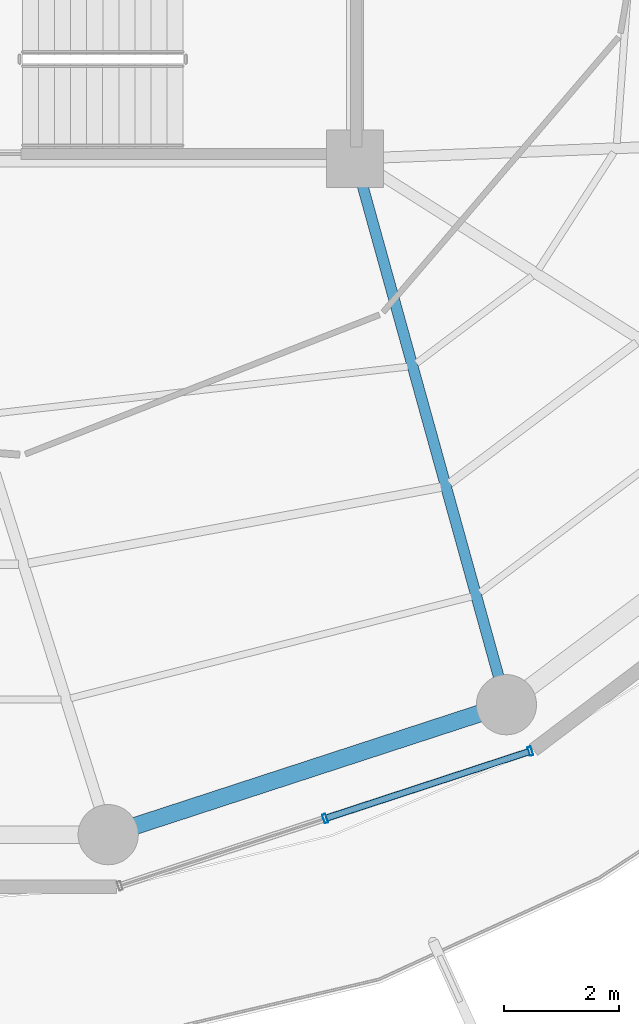
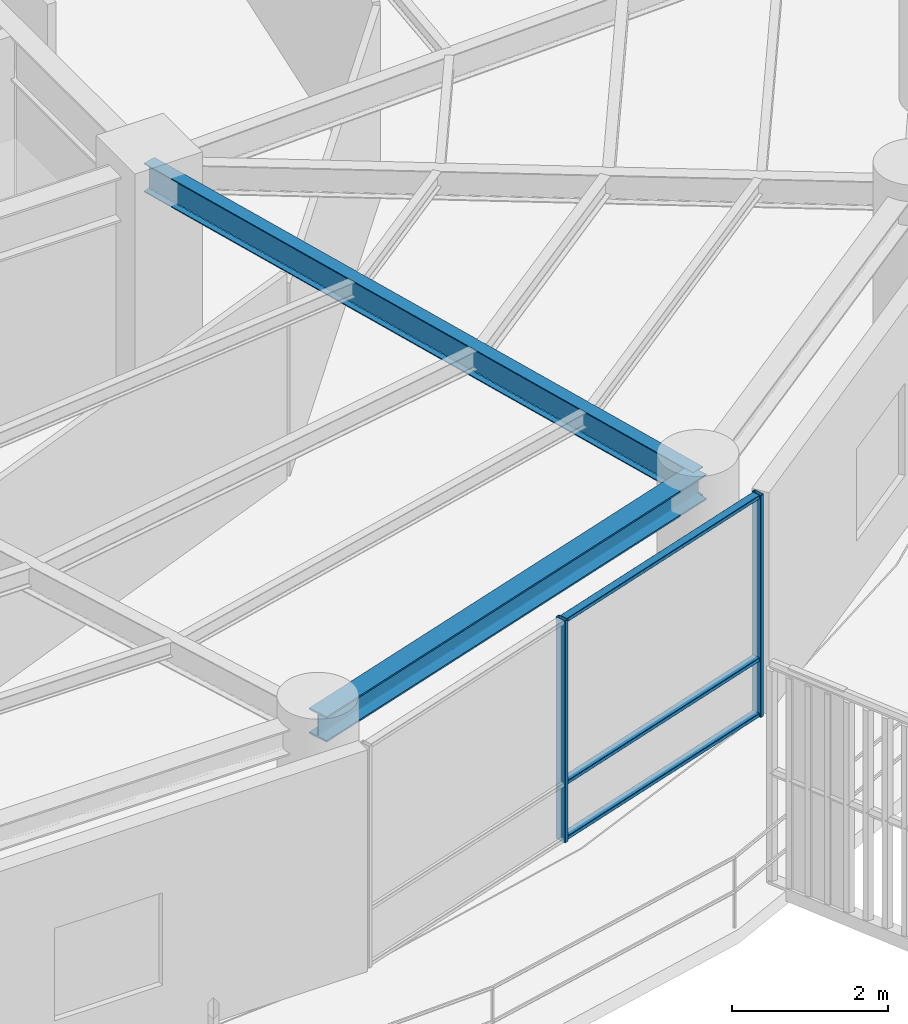
# One storey, part 10 of 31: 5 members, 2 beams, 1 element without a shape of its own.
"""IFC4 building model written with IfcOpenShell, lengths in metres."""

from ifc_helpers import new_model, si_unit, direction, frame, origin, origin_2d, place, context, subcontext, project, spatial, hollow_rectangle, i_section, extrude, material, layer, layer_set, material_profile, profile_set, type_object, element, aggregate, save


model = new_model("IFC4")

# Units and contexts
model_context = context("Model", 3, precision=1e-05, world=origin(), true_north=direction((0.0, 1.0)))
body_context = subcontext(model_context, "Body", "Model", "MODEL_VIEW")
ifc_project = project(units=[si_unit("LENGTHUNIT", "METRE"), si_unit("AREAUNIT", "SQUARE_METRE"), si_unit("VOLUMEUNIT", "CUBIC_METRE"), si_unit("PLANEANGLEUNIT", "RADIAN"), si_unit("MASSUNIT", "GRAM", prefix="KILO")], contexts=[model_context])

# Site, building, storey
site_placement = place(None, origin())
site = spatial("IfcSite", under=ifc_project, at=site_placement, CompositionType="ELEMENT")
building_placement = place(site_placement, origin())
building = spatial("IfcBuilding", under=site, at=building_placement, Name="Kelanora Arch Commons", CompositionType="ELEMENT")
storey_placement = place(building_placement, frame((0.0, 0.0, 230.699951171875)))
storey = spatial("IfcBuildingStorey", under=building, at=storey_placement, Name="L59", CompositionType="ELEMENT", Elevation=230.699951171875)

# Beams
ifc_material_1 = material(Name="Steel S355", Category="steel")
ifc_material_profile_1 = material_profile(ifc_material_1, i_section(OverallWidth=0.18994140625, OverallDepth=0.449951171875, WebThickness=0.009521484375, FlangeThickness=0.0146484375, FilletRadius=0.02099609375, at=origin_2d()), Name="IPE450")
ifc_profile_set_1 = profile_set([ifc_material_profile_1], Name="Steel S355")
beam_type_1 = type_object("IfcBeamType", Name="BM-RAD-Z4", PredefinedType="BEAM", material=ifc_profile_set_1)
beam_1_placement = place(storey_placement, frame((82.0, 51.0, 3.26513671875), z_axis=(0.267120164296, -0.963663228429, 0.0), x_axis=(0.963663228429, 0.267120164296, 0.0)))
element("IfcBeam", 1, at=beam_1_placement, inside=storey, type_object=beam_type_1, Name="Radial Floor Girder BR-30 L59", PredefinedType="BEAM", context=body_context, shape_type="SweptSolid", body=[
    extrude(i_section(OverallWidth=0.18994140625, OverallDepth=0.449951171875, WebThickness=0.009521484375, FlangeThickness=0.0146484375, FilletRadius=0.02099609375, at=origin_2d()), origin(), (0.0, 0.0, 1.0), 9.8828125),
])
ifc_material_profile_2 = material_profile(ifc_material_1, i_section(OverallWidth=0.300048828125, OverallDepth=0.39990234375, WebThickness=0.013427734375, FlangeThickness=0.02392578125, FilletRadius=0.027099609375, at=origin_2d()), Name="HEB400")
ifc_profile_set_2 = profile_set([ifc_material_profile_2], Name="Steel S355")
beam_type_2 = type_object("IfcBeamType", Name="BM-SPN-Z4", PredefinedType="SPANDREL", material=ifc_profile_set_2)
beam_2_placement = place(storey_placement, frame((77.6953125, 39.2099609375, 3.2900390625), z_axis=(0.950656361143, 0.310245842872, 0.0), x_axis=(-0.310245842872, 0.950656361143, 0.0)))
element("IfcBeam", 2, at=beam_2_placement, inside=storey, type_object=beam_type_2, Name="Perimeter Spandrel Beam BS-28 L59", PredefinedType="SPANDREL", context=body_context, shape_type="SweptSolid", body=[
    extrude(i_section(OverallWidth=0.300048828125, OverallDepth=0.39990234375, WebThickness=0.013427734375, FlangeThickness=0.02392578125, FilletRadius=0.027099609375, at=origin_2d()), origin(), (0.0, 0.0, 1.0), 7.304931640625),
])

# Curtain wall, members
ifc_material_2 = material(Name="Terracotta ceramic-fritted low-E glass and aluminium", Category="masonry")
ifc_layer = layer(ifc_material_2, 0.175048828125)
ifc_layer_set = layer_set([ifc_layer], Name="Terracotta ceramic-fritted low-E glass and aluminium")
curtain_wall_type = type_object("IfcCurtainWallType", Name="CW-SYS-02", PredefinedType="NOTDEFINED", material=ifc_layer_set)
curtain_wall_placement = place(storey_placement, origin())
curtain_wall = element("IfcCurtainWall", 3, at=curtain_wall_placement, inside=storey, type_object=curtain_wall_type, Name="Unitised Curtain Wall L59-B14", PredefinedType="NOTDEFINED")
ifc_material_3 = material(Name="Powder-coated aluminium terracotta", Category="masonry")
ifc_material_profile_3 = material_profile(ifc_material_3, hollow_rectangle(XDim=0.159912109375, YDim=0.06005859375, WallThickness=0.0048828125, InnerFilletRadius=0.0048828125, OuterFilletRadius=0.010009765625, at=origin_2d()), Name="CWM160x60")
ifc_profile_set_3 = profile_set([ifc_material_profile_3], Name="Powder-coated aluminium terracotta")
member_type_1 = type_object("IfcMemberType", Name="CWM-STD", PredefinedType="MULLION", material=ifc_profile_set_3)
member_1_placement = place(storey_placement, frame((81.4775390625, 39.49169921875, 0.0), z_axis=(0.0, 0.0, 1.0), x_axis=(-0.311582439059, 0.950219124029, 0.0)))
member_1 = element("IfcMember", 4, at=member_1_placement, type_object=member_type_1, Name="CW-02 mullion 2", PredefinedType="MULLION", context=body_context, shape_type="SweptSolid", body=[
    extrude(hollow_rectangle(XDim=0.159912109375, YDim=0.06005859375, WallThickness=0.0048828125, InnerFilletRadius=0.0048828125, OuterFilletRadius=0.010009765625, at=origin_2d()), origin(), (0.0, 0.0, 1.0), 3.47509765625),
])
member_2_placement = place(storey_placement, frame((85.05712890625, 40.66552734375, 0.0), z_axis=(0.0, 0.0, 1.0), x_axis=(-0.311582439059, 0.950219124029, 0.0)))
member_2 = element("IfcMember", 5, at=member_2_placement, type_object=member_type_1, Name="CW-02 mullion 3", PredefinedType="MULLION", context=body_context, shape_type="SweptSolid", body=[
    extrude(hollow_rectangle(XDim=0.159912109375, YDim=0.06005859375, WallThickness=0.0048828125, InnerFilletRadius=0.0048828125, OuterFilletRadius=0.010009765625, at=origin_2d()), origin(), (0.0, 0.0, 1.0), 3.47509765625),
])
ifc_material_profile_4 = material_profile(ifc_material_3, hollow_rectangle(XDim=0.1201171875, YDim=0.06005859375, WallThickness=0.0048828125, InnerFilletRadius=0.0048828125, OuterFilletRadius=0.010009765625, at=origin_2d()), Name="CWT120x60")
ifc_profile_set_4 = profile_set([ifc_material_profile_4], Name="Powder-coated aluminium terracotta")
member_type_2 = type_object("IfcMemberType", Name="CWT-STD", PredefinedType="USERDEFINED", material=ifc_profile_set_4)
member_3_placement = place(storey_placement, frame((81.506103515625, 39.5009765625, 0.030029296875), z_axis=(0.950226025222, 0.311561392011, 0.0), x_axis=(-0.311561392011, 0.950226025222, 0.0)))
member_3 = element("IfcMember", 6, at=member_3_placement, type_object=member_type_2, Name="CW-02 transom 2.1", ObjectType="TRANSOM", PredefinedType="USERDEFINED", context=body_context, shape_type="SweptSolid", body=[
    extrude(hollow_rectangle(XDim=0.1201171875, YDim=0.06005859375, WallThickness=0.0048828125, InnerFilletRadius=0.0048828125, OuterFilletRadius=0.010009765625, at=origin_2d()), origin(), (0.0, 0.0, 1.0), 3.707275390625),
])
member_4_placement = place(storey_placement, frame((81.506103515625, 39.5009765625, 0.900146484375), z_axis=(0.950226025222, 0.311561392011, 0.0), x_axis=(-0.311561392011, 0.950226025222, 0.0)))
member_4 = element("IfcMember", 7, at=member_4_placement, type_object=member_type_2, Name="CW-02 transom 2.2", ObjectType="TRANSOM", PredefinedType="USERDEFINED", context=body_context, shape_type="SweptSolid", body=[
    extrude(hollow_rectangle(XDim=0.1201171875, YDim=0.06005859375, WallThickness=0.0048828125, InnerFilletRadius=0.0048828125, OuterFilletRadius=0.010009765625, at=origin_2d()), origin(), (0.0, 0.0, 1.0), 3.707275390625),
])
member_5_placement = place(storey_placement, frame((81.506103515625, 39.5009765625, 3.445068359375), z_axis=(0.950226025222, 0.311561392011, 0.0), x_axis=(-0.311561392011, 0.950226025222, 0.0)))
member_5 = element("IfcMember", 8, at=member_5_placement, type_object=member_type_2, Name="CW-02 transom 2.3", ObjectType="TRANSOM", PredefinedType="USERDEFINED", context=body_context, shape_type="SweptSolid", body=[
    extrude(hollow_rectangle(XDim=0.1201171875, YDim=0.06005859375, WallThickness=0.0048828125, InnerFilletRadius=0.0048828125, OuterFilletRadius=0.010009765625, at=origin_2d()), origin(), (0.0, 0.0, 1.0), 3.707275390625),
])
aggregate(curtain_wall, [member_1, member_2, member_3, member_4, member_5])

save(model, "model.ifc")
